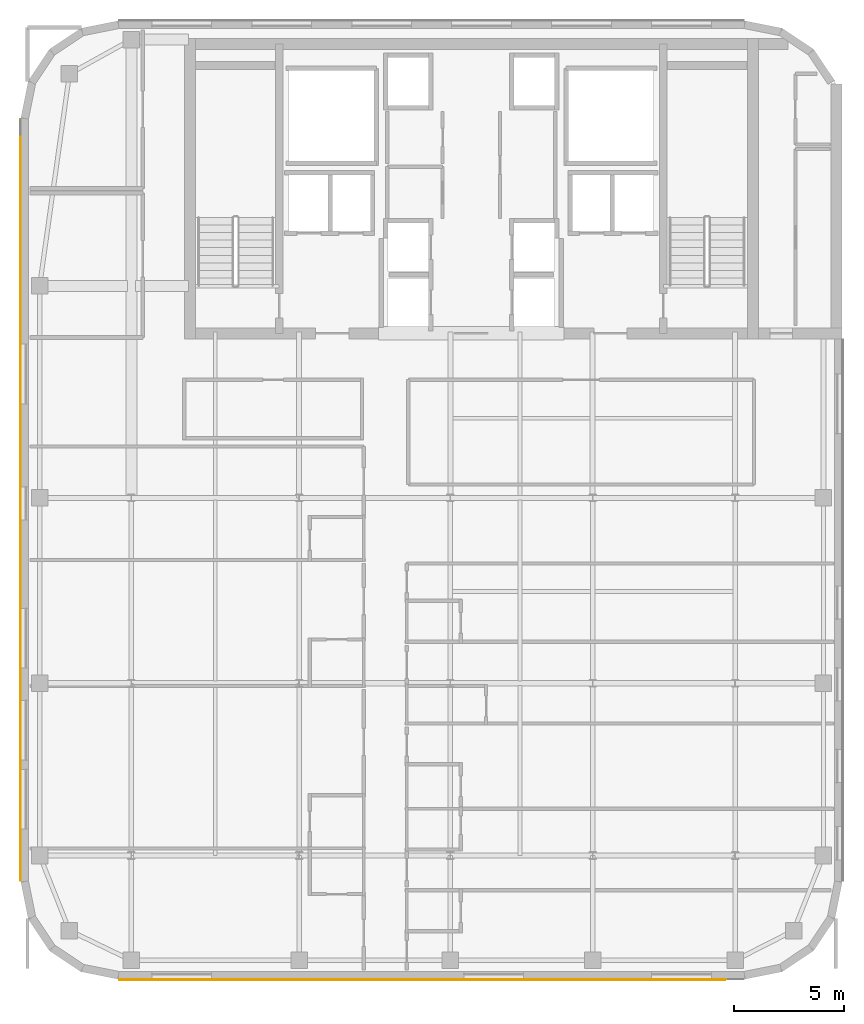
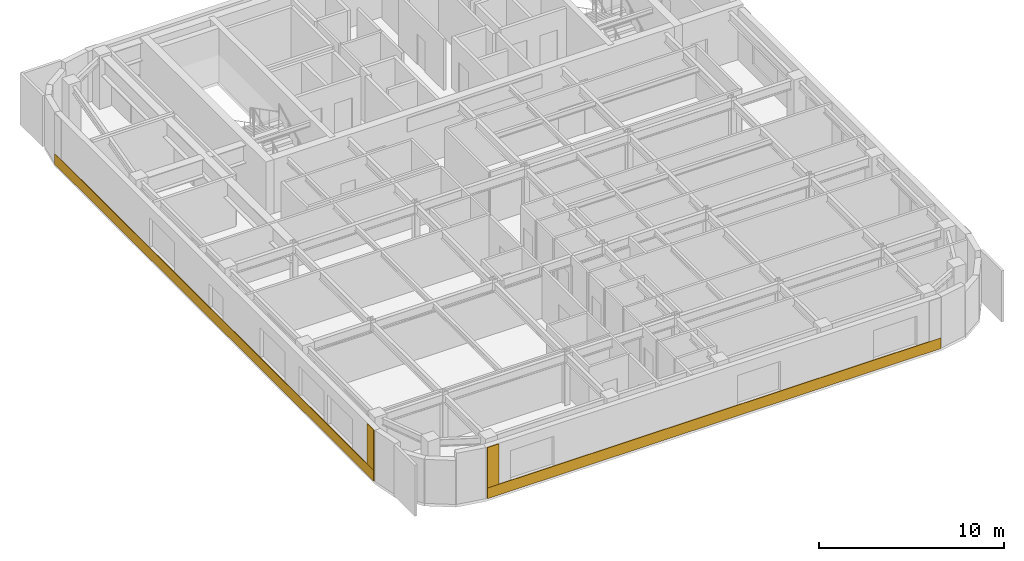
# One storey, part 9 of 12: 4 coverings.
"""IFC4 building model written with IfcOpenShell, lengths in metres."""

from ifc_helpers import new_model, si_unit, direction, frame, origin, place, context, subcontext, project, spatial, polyline, outline, extrude, material, layer, layer_set, type_object, element, save


model = new_model("IFC4")

# Units and contexts
model_context = context("Model", 3, precision=1e-05, world=origin(), true_north=direction((0.0, 1.0)))
body_context = subcontext(model_context, "Body", "Model", "MODEL_VIEW")
ifc_project = project(units=[si_unit("LENGTHUNIT", "METRE"), si_unit("AREAUNIT", "SQUARE_METRE"), si_unit("VOLUMEUNIT", "CUBIC_METRE"), si_unit("PLANEANGLEUNIT", "RADIAN"), si_unit("MASSUNIT", "GRAM", prefix="KILO")], contexts=[model_context])

# Site, building, storey
site_placement = place(None, origin())
site = spatial("IfcSite", under=ifc_project, at=site_placement, CompositionType="ELEMENT")
building_placement = place(site_placement, origin())
building = spatial("IfcBuilding", under=site, at=building_placement, Name="Tolvann Quenvar Hotel", CompositionType="ELEMENT")
storey_placement = place(building_placement, frame((0.0, 0.0, 213.25)))
storey = spatial("IfcBuildingStorey", under=building, at=storey_placement, Name="L56", CompositionType="ELEMENT", Elevation=213.25)

# Coverings
ifc_material_1 = material(Name="Kiln-fired red architectural face brick cladding", Category="masonry")
ifc_layer_1 = layer(ifc_material_1, 0.0400390625)
ifc_layer_set_1 = layer_set([ifc_layer_1], Name="Kiln-fired red architectural face brick cladding")
covering_type_1 = type_object("IfcCoveringType", Name="COV_CLAD_BRICK_40", PredefinedType="CLADDING", material=ifc_layer_set_1)
covering_1_placement = place(storey_placement, frame((0.0, 0.0, 0.699951171875)))
element("IfcCovering", 1, at=covering_1_placement, inside=storey, type_object=covering_type_1, Name="Brick Pier Cladding (L56-E04-P1)", PredefinedType="CLADDING", context=body_context, shape_type="SweptSolid", body=[
    extrude(outline(polyline([(7.067138671875, 2.60009765625), (7.76708984375, 2.60009765625), (7.76708984375, 2.56005859375), (7.067138671875, 2.56005859375), (7.067138671875, 2.60009765625)])), origin(), (0.0, 0.0, 1.0), 2.670166015625),
])
covering_2_placement = place(storey_placement, frame((0.0, 0.0, 0.699951171875)))
element("IfcCovering", 2, at=covering_2_placement, inside=storey, type_object=covering_type_1, Name="Brick Pier Cladding (L56-E19-P2)", PredefinedType="CLADDING", context=body_context, shape_type="SweptSolid", body=[
    extrude(outline(polyline([(2.60009765625, 7.76708984375), (2.60009765625, 7.067138671875), (2.56005859375, 7.067138671875), (2.56005859375, 7.76708984375), (2.60009765625, 7.76708984375)])), origin(), (0.0, 0.0, 1.0), 2.670166015625),
])
ifc_material_2 = material(Name="Moulded buff architectural terracotta spandrel cladding", Category="masonry")
ifc_layer_2 = layer(ifc_material_2, 0.0400390625)
ifc_layer_set_2 = layer_set([ifc_layer_2], Name="Moulded buff architectural terracotta spandrel cladding")
covering_type_2 = type_object("IfcCoveringType", Name="COV_CLAD_TERRA_40", PredefinedType="CLADDING", material=ifc_layer_set_2)
covering_3_placement = place(storey_placement, origin())
element("IfcCovering", 3, at=covering_3_placement, inside=storey, type_object=covering_type_2, Name="Terracotta Spandrel Cladding (L56-E04)", PredefinedType="CLADDING", context=body_context, shape_type="SweptSolid", body=[
    extrude(outline(polyline([(7.05712890625, 2.60009765625), (35.3427734375, 2.60009765625), (35.3427734375, 2.56005859375), (7.05712890625, 2.56005859375), (7.05712890625, 2.60009765625)])), origin(), (0.0, 0.0, 1.0), 0.699951171875),
])
covering_4_placement = place(storey_placement, origin())
element("IfcCovering", 4, at=covering_4_placement, inside=storey, type_object=covering_type_2, Name="Terracotta Spandrel Cladding (L56-E19)", PredefinedType="CLADDING", context=body_context, shape_type="SweptSolid", body=[
    extrude(outline(polyline([(2.60009765625, 41.542724609375), (2.60009765625, 7.05712890625), (2.56005859375, 7.05712890625), (2.56005859375, 41.542724609375), (2.60009765625, 41.542724609375)])), origin(), (0.0, 0.0, 1.0), 0.699951171875),
])

save(model, "model.ifc")
